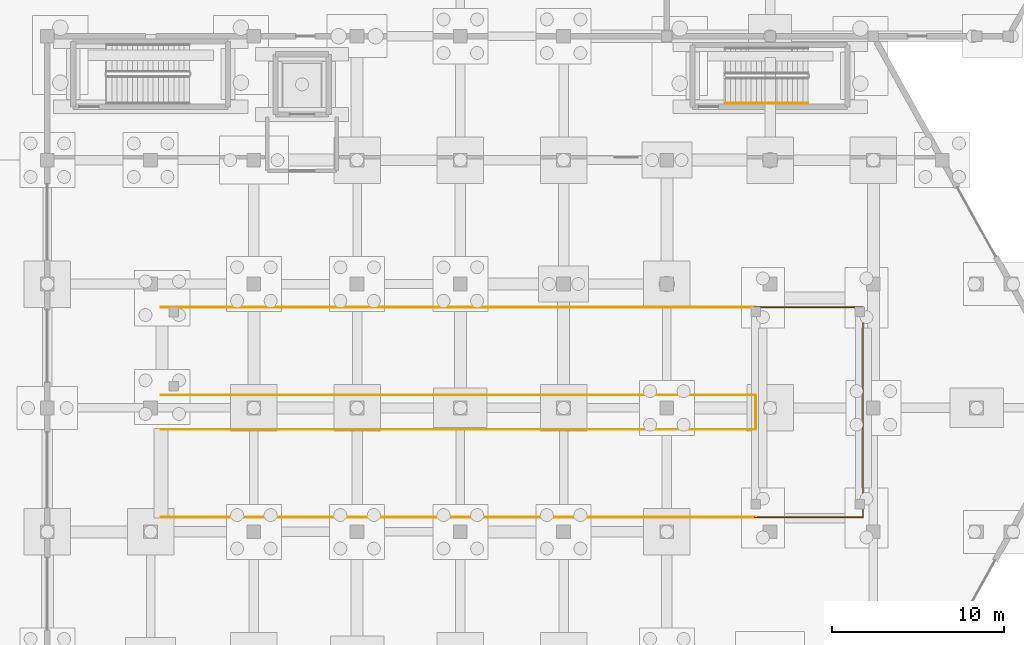
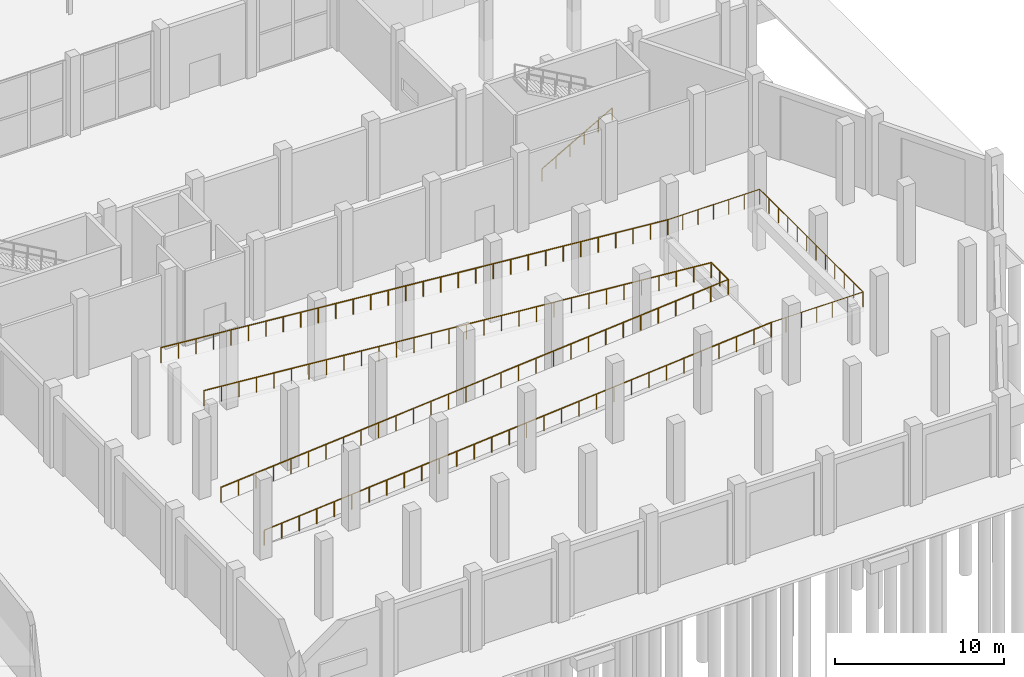
# One storey, part 99 of 103: 7 railings.
"""IFC4 building model written with IfcOpenShell, lengths in metres."""

from ifc_helpers import new_model, si_unit, direction, frame, origin, origin_2d, place, context, subcontext, project, spatial, circle, extrude, material, type_object, element, save


model = new_model("IFC4")

# Units and contexts
model_context = context("Model", 3, precision=1e-05, world=origin(), true_north=direction((0.0, 1.0)))
body_context = subcontext(model_context, "Body", "Model", "MODEL_VIEW")
ifc_project = project(units=[si_unit("LENGTHUNIT", "METRE"), si_unit("AREAUNIT", "SQUARE_METRE"), si_unit("VOLUMEUNIT", "CUBIC_METRE"), si_unit("PLANEANGLEUNIT", "RADIAN"), si_unit("MASSUNIT", "GRAM", prefix="KILO")], contexts=[model_context])

# Site, building, storey
site_placement = place(None, origin())
site = spatial("IfcSite", under=ifc_project, at=site_placement, CompositionType="ELEMENT")
building_placement = place(site_placement, origin())
building = spatial("IfcBuilding", under=site, at=building_placement, Name="Dunvalen Ferry Terminal", CompositionType="ELEMENT")
storey_placement = place(building_placement, origin())
storey = spatial("IfcBuildingStorey", under=building, at=storey_placement, Name="L00", CompositionType="ELEMENT", Elevation=0.0)

# Railings
ifc_material_1 = material(Name="Painted galvanised steel S275", Category="steel")
railing_type_1 = type_object("IfcRailingType", Name="INT-RL-STGRD", PredefinedType="GUARDRAIL", material=ifc_material_1)
railing_1_placement = place(storey_placement, frame((114.60009765625, 15.25, 0.0)))
element("IfcRailing", 1, at=railing_1_placement, inside=storey, type_object=railing_type_1, Name="L00 Internal Safety Guard GRD-VRMP-FL1-S", PredefinedType="GUARDRAIL", context=body_context, shape_type="SweptSolid", body=[
    extrude(circle(Radius=0.02392578125, at=origin_2d()), frame((0.0, 0.0, 1.076171875), z_axis=(0.996546000996, 0.0, 0.083042566795), x_axis=(0.0, 1.0, 0.0)), (0.0, 0.0, 1.0), 34.6796875),
    extrude(circle(Radius=0.02099609375, at=origin_2d()), origin(), (0.0, 0.0, 1.0), 1.052001953125),
    extrude(circle(Radius=0.02099609375, at=origin_2d()), frame((1.191650390625, 0.0, 0.099365234375)), (0.0, 0.0, 1.0), 1.052001953125),
    extrude(circle(Radius=0.02099609375, at=origin_2d()), frame((2.383544921875, 0.0, 0.19873046875)), (0.0, 0.0, 1.0), 1.052001953125),
    extrude(circle(Radius=0.02099609375, at=origin_2d()), frame((3.5751953125, 0.0, 0.2978515625)), (0.0, 0.0, 1.0), 1.052001953125),
    extrude(circle(Radius=0.02099609375, at=origin_2d()), frame((4.766845703125, 0.0, 0.397216796875)), (0.0, 0.0, 1.0), 1.052001953125),
    extrude(circle(Radius=0.02099609375, at=origin_2d()), frame((5.95849609375, 0.0, 0.49658203125)), (0.0, 0.0, 1.0), 1.052001953125),
    extrude(circle(Radius=0.02099609375, at=origin_2d()), frame((7.150390625, 0.0, 0.595947265625)), (0.0, 0.0, 1.0), 1.052001953125),
    extrude(circle(Radius=0.02099609375, at=origin_2d()), frame((8.342041015625, 0.0, 0.695068359375)), (0.0, 0.0, 1.0), 1.052001953125),
    extrude(circle(Radius=0.02099609375, at=origin_2d()), frame((9.53369140625, 0.0, 0.79443359375)), (0.0, 0.0, 1.0), 1.052001953125),
    extrude(circle(Radius=0.02099609375, at=origin_2d()), frame((10.725341796875, 0.0, 0.893798828125)), (0.0, 0.0, 1.0), 1.052001953125),
    extrude(circle(Radius=0.02099609375, at=origin_2d()), frame((11.917236328125, 0.0, 0.9931640625)), (0.0, 0.0, 1.0), 1.052001953125),
    extrude(circle(Radius=0.02099609375, at=origin_2d()), frame((13.10888671875, 0.0, 1.09228515625)), (0.0, 0.0, 1.0), 1.052001953125),
    extrude(circle(Radius=0.02099609375, at=origin_2d()), frame((14.300537109375, 0.0, 1.191650390625)), (0.0, 0.0, 1.0), 1.052001953125),
    extrude(circle(Radius=0.02099609375, at=origin_2d()), frame((15.492431640625, 0.0, 1.291015625)), (0.0, 0.0, 1.0), 1.052001953125),
    extrude(circle(Radius=0.02099609375, at=origin_2d()), frame((16.68408203125, 0.0, 1.390380859375)), (0.0, 0.0, 1.0), 1.052001953125),
    extrude(circle(Radius=0.02099609375, at=origin_2d()), frame((17.875732421875, 0.0, 1.489501953125)), (0.0, 0.0, 1.0), 1.052001953125),
    extrude(circle(Radius=0.02099609375, at=origin_2d()), frame((19.0673828125, 0.0, 1.5888671875)), (0.0, 0.0, 1.0), 1.052001953125),
    extrude(circle(Radius=0.02099609375, at=origin_2d()), frame((20.25927734375, 0.0, 1.688232421875)), (0.0, 0.0, 1.0), 1.052001953125),
    extrude(circle(Radius=0.02099609375, at=origin_2d()), frame((21.450927734375, 0.0, 1.78759765625)), (0.0, 0.0, 1.0), 1.052001953125),
    extrude(circle(Radius=0.02099609375, at=origin_2d()), frame((22.642578125, 0.0, 1.88671875)), (0.0, 0.0, 1.0), 1.052001953125),
    extrude(circle(Radius=0.02099609375, at=origin_2d()), frame((23.83447265625, 0.0, 1.986083984375)), (0.0, 0.0, 1.0), 1.052001953125),
    extrude(circle(Radius=0.02099609375, at=origin_2d()), frame((25.026123046875, 0.0, 2.08544921875)), (0.0, 0.0, 1.0), 1.052001953125),
    extrude(circle(Radius=0.02099609375, at=origin_2d()), frame((26.2177734375, 0.0, 2.184814453125)), (0.0, 0.0, 1.0), 1.052001953125),
    extrude(circle(Radius=0.02099609375, at=origin_2d()), frame((27.409423828125, 0.0, 2.283935546875)), (0.0, 0.0, 1.0), 1.052001953125),
    extrude(circle(Radius=0.02099609375, at=origin_2d()), frame((28.601318359375, 0.0, 2.38330078125)), (0.0, 0.0, 1.0), 1.052001953125),
    extrude(circle(Radius=0.02099609375, at=origin_2d()), frame((29.79296875, 0.0, 2.482666015625)), (0.0, 0.0, 1.0), 1.052001953125),
    extrude(circle(Radius=0.02099609375, at=origin_2d()), frame((30.984619140625, 0.0, 2.58203125)), (0.0, 0.0, 1.0), 1.052001953125),
    extrude(circle(Radius=0.02099609375, at=origin_2d()), frame((32.17626953125, 0.0, 2.68115234375)), (0.0, 0.0, 1.0), 1.052001953125),
    extrude(circle(Radius=0.02099609375, at=origin_2d()), frame((33.3681640625, 0.0, 2.780517578125)), (0.0, 0.0, 1.0), 1.052001953125),
    extrude(circle(Radius=0.02099609375, at=origin_2d()), frame((34.559814453125, 0.0, 2.8798828125)), (0.0, 0.0, 1.0), 1.052001953125),
])
railing_2_placement = place(storey_placement, frame((114.60009765625, 20.35009765625, 0.0)))
element("IfcRailing", 2, at=railing_2_placement, inside=storey, type_object=railing_type_1, Name="L00 Internal Safety Guard GRD-VRMP-FL1-N", PredefinedType="GUARDRAIL", context=body_context, shape_type="SweptSolid", body=[
    extrude(circle(Radius=0.02392578125, at=origin_2d()), frame((0.0, 0.0, 1.076171875), z_axis=(0.996546000996, 0.0, 0.083042566795), x_axis=(0.0, 1.0, 0.0)), (0.0, 0.0, 1.0), 34.6796875),
    extrude(circle(Radius=0.02099609375, at=origin_2d()), origin(), (0.0, 0.0, 1.0), 1.052001953125),
    extrude(circle(Radius=0.02099609375, at=origin_2d()), frame((1.191650390625, 0.0, 0.099365234375)), (0.0, 0.0, 1.0), 1.052001953125),
    extrude(circle(Radius=0.02099609375, at=origin_2d()), frame((2.383544921875, 0.0, 0.19873046875)), (0.0, 0.0, 1.0), 1.052001953125),
    extrude(circle(Radius=0.02099609375, at=origin_2d()), frame((3.5751953125, 0.0, 0.2978515625)), (0.0, 0.0, 1.0), 1.052001953125),
    extrude(circle(Radius=0.02099609375, at=origin_2d()), frame((4.766845703125, 0.0, 0.397216796875)), (0.0, 0.0, 1.0), 1.052001953125),
    extrude(circle(Radius=0.02099609375, at=origin_2d()), frame((5.95849609375, 0.0, 0.49658203125)), (0.0, 0.0, 1.0), 1.052001953125),
    extrude(circle(Radius=0.02099609375, at=origin_2d()), frame((7.150390625, 0.0, 0.595947265625)), (0.0, 0.0, 1.0), 1.052001953125),
    extrude(circle(Radius=0.02099609375, at=origin_2d()), frame((8.342041015625, 0.0, 0.695068359375)), (0.0, 0.0, 1.0), 1.052001953125),
    extrude(circle(Radius=0.02099609375, at=origin_2d()), frame((9.53369140625, 0.0, 0.79443359375)), (0.0, 0.0, 1.0), 1.052001953125),
    extrude(circle(Radius=0.02099609375, at=origin_2d()), frame((10.725341796875, 0.0, 0.893798828125)), (0.0, 0.0, 1.0), 1.052001953125),
    extrude(circle(Radius=0.02099609375, at=origin_2d()), frame((11.917236328125, 0.0, 0.9931640625)), (0.0, 0.0, 1.0), 1.052001953125),
    extrude(circle(Radius=0.02099609375, at=origin_2d()), frame((13.10888671875, 0.0, 1.09228515625)), (0.0, 0.0, 1.0), 1.052001953125),
    extrude(circle(Radius=0.02099609375, at=origin_2d()), frame((14.300537109375, 0.0, 1.191650390625)), (0.0, 0.0, 1.0), 1.052001953125),
    extrude(circle(Radius=0.02099609375, at=origin_2d()), frame((15.492431640625, 0.0, 1.291015625)), (0.0, 0.0, 1.0), 1.052001953125),
    extrude(circle(Radius=0.02099609375, at=origin_2d()), frame((16.68408203125, 0.0, 1.390380859375)), (0.0, 0.0, 1.0), 1.052001953125),
    extrude(circle(Radius=0.02099609375, at=origin_2d()), frame((17.875732421875, 0.0, 1.489501953125)), (0.0, 0.0, 1.0), 1.052001953125),
    extrude(circle(Radius=0.02099609375, at=origin_2d()), frame((19.0673828125, 0.0, 1.5888671875)), (0.0, 0.0, 1.0), 1.052001953125),
    extrude(circle(Radius=0.02099609375, at=origin_2d()), frame((20.25927734375, 0.0, 1.688232421875)), (0.0, 0.0, 1.0), 1.052001953125),
    extrude(circle(Radius=0.02099609375, at=origin_2d()), frame((21.450927734375, 0.0, 1.78759765625)), (0.0, 0.0, 1.0), 1.052001953125),
    extrude(circle(Radius=0.02099609375, at=origin_2d()), frame((22.642578125, 0.0, 1.88671875)), (0.0, 0.0, 1.0), 1.052001953125),
    extrude(circle(Radius=0.02099609375, at=origin_2d()), frame((23.83447265625, 0.0, 1.986083984375)), (0.0, 0.0, 1.0), 1.052001953125),
    extrude(circle(Radius=0.02099609375, at=origin_2d()), frame((25.026123046875, 0.0, 2.08544921875)), (0.0, 0.0, 1.0), 1.052001953125),
    extrude(circle(Radius=0.02099609375, at=origin_2d()), frame((26.2177734375, 0.0, 2.184814453125)), (0.0, 0.0, 1.0), 1.052001953125),
    extrude(circle(Radius=0.02099609375, at=origin_2d()), frame((27.409423828125, 0.0, 2.283935546875)), (0.0, 0.0, 1.0), 1.052001953125),
    extrude(circle(Radius=0.02099609375, at=origin_2d()), frame((28.601318359375, 0.0, 2.38330078125)), (0.0, 0.0, 1.0), 1.052001953125),
    extrude(circle(Radius=0.02099609375, at=origin_2d()), frame((29.79296875, 0.0, 2.482666015625)), (0.0, 0.0, 1.0), 1.052001953125),
    extrude(circle(Radius=0.02099609375, at=origin_2d()), frame((30.984619140625, 0.0, 2.58203125)), (0.0, 0.0, 1.0), 1.052001953125),
    extrude(circle(Radius=0.02099609375, at=origin_2d()), frame((32.17626953125, 0.0, 2.68115234375)), (0.0, 0.0, 1.0), 1.052001953125),
    extrude(circle(Radius=0.02099609375, at=origin_2d()), frame((33.3681640625, 0.0, 2.780517578125)), (0.0, 0.0, 1.0), 1.052001953125),
    extrude(circle(Radius=0.02099609375, at=origin_2d()), frame((34.559814453125, 0.0, 2.8798828125)), (0.0, 0.0, 1.0), 1.052001953125),
])
railing_3_placement = place(storey_placement, frame((149.10009765625, 15.25, 2.8798828125)))
element("IfcRailing", 3, at=railing_3_placement, inside=storey, type_object=railing_type_1, Name="L00 Internal Safety Guard GRD-VRMP-LND-O", PredefinedType="GUARDRAIL", context=body_context, shape_type="SweptSolid", body=[
    extrude(circle(Radius=0.02392578125, at=origin_2d()), frame((0.0, 0.0, 1.076171875), z_axis=(1.0, 0.0, 0.0), x_axis=(0.0, 1.0, 0.0)), (0.0, 0.0, 1.0), 6.2998046875),
    extrude(circle(Radius=0.02392578125, at=origin_2d()), frame((6.2998046875, 0.0, 1.076171875), z_axis=(0.0, 1.0, 0.0), x_axis=(-1.0, 0.0, 0.0)), (0.0, 0.0, 1.0), 12.199951171875),
    extrude(circle(Radius=0.02392578125, at=origin_2d()), frame((6.2998046875, 12.199951171875, 1.076171875), z_axis=(-1.0, 0.0, 0.0), x_axis=(0.0, -1.0, 0.0)), (0.0, 0.0, 1.0), 6.2998046875),
    extrude(circle(Radius=0.02099609375, at=origin_2d()), origin(), (0.0, 0.0, 1.0), 1.052001953125),
    extrude(circle(Radius=0.02099609375, at=origin_2d()), frame((1.050048828125, 0.0, 0.0)), (0.0, 0.0, 1.0), 1.052001953125),
    extrude(circle(Radius=0.02099609375, at=origin_2d()), frame((2.099853515625, 0.0, 0.0)), (0.0, 0.0, 1.0), 1.052001953125),
    extrude(circle(Radius=0.02099609375, at=origin_2d()), frame((3.14990234375, 0.0, 0.0)), (0.0, 0.0, 1.0), 1.052001953125),
    extrude(circle(Radius=0.02099609375, at=origin_2d()), frame((4.199951171875, 0.0, 0.0)), (0.0, 0.0, 1.0), 1.052001953125),
    extrude(circle(Radius=0.02099609375, at=origin_2d()), frame((5.249755859375, 0.0, 0.0)), (0.0, 0.0, 1.0), 1.052001953125),
    extrude(circle(Radius=0.02099609375, at=origin_2d()), frame((6.2998046875, 0.0, 0.0)), (0.0, 0.0, 1.0), 1.052001953125),
    extrude(circle(Radius=0.02099609375, at=origin_2d()), frame((6.2998046875, 1.109130859375, 0.0)), (0.0, 0.0, 1.0), 1.052001953125),
    extrude(circle(Radius=0.02099609375, at=origin_2d()), frame((6.2998046875, 2.21826171875, 0.0)), (0.0, 0.0, 1.0), 1.052001953125),
    extrude(circle(Radius=0.02099609375, at=origin_2d()), frame((6.2998046875, 3.3271484375, 0.0)), (0.0, 0.0, 1.0), 1.052001953125),
    extrude(circle(Radius=0.02099609375, at=origin_2d()), frame((6.2998046875, 4.436279296875, 0.0)), (0.0, 0.0, 1.0), 1.052001953125),
    extrude(circle(Radius=0.02099609375, at=origin_2d()), frame((6.2998046875, 5.54541015625, 0.0)), (0.0, 0.0, 1.0), 1.052001953125),
    extrude(circle(Radius=0.02099609375, at=origin_2d()), frame((6.2998046875, 6.654541015625, 0.0)), (0.0, 0.0, 1.0), 1.052001953125),
    extrude(circle(Radius=0.02099609375, at=origin_2d()), frame((6.2998046875, 7.763671875, 0.0)), (0.0, 0.0, 1.0), 1.052001953125),
    extrude(circle(Radius=0.02099609375, at=origin_2d()), frame((6.2998046875, 8.872802734375, 0.0)), (0.0, 0.0, 1.0), 1.052001953125),
    extrude(circle(Radius=0.02099609375, at=origin_2d()), frame((6.2998046875, 9.981689453125, 0.0)), (0.0, 0.0, 1.0), 1.052001953125),
    extrude(circle(Radius=0.02099609375, at=origin_2d()), frame((6.2998046875, 11.0908203125, 0.0)), (0.0, 0.0, 1.0), 1.052001953125),
    extrude(circle(Radius=0.02099609375, at=origin_2d()), frame((6.2998046875, 12.199951171875, 0.0)), (0.0, 0.0, 1.0), 1.052001953125),
    extrude(circle(Radius=0.02099609375, at=origin_2d()), frame((5.249755859375, 12.199951171875, 0.0)), (0.0, 0.0, 1.0), 1.052001953125),
    extrude(circle(Radius=0.02099609375, at=origin_2d()), frame((4.199951171875, 12.199951171875, 0.0)), (0.0, 0.0, 1.0), 1.052001953125),
    extrude(circle(Radius=0.02099609375, at=origin_2d()), frame((3.14990234375, 12.199951171875, 0.0)), (0.0, 0.0, 1.0), 1.052001953125),
    extrude(circle(Radius=0.02099609375, at=origin_2d()), frame((2.099853515625, 12.199951171875, 0.0)), (0.0, 0.0, 1.0), 1.052001953125),
    extrude(circle(Radius=0.02099609375, at=origin_2d()), frame((1.050048828125, 12.199951171875, 0.0)), (0.0, 0.0, 1.0), 1.052001953125),
    extrude(circle(Radius=0.02099609375, at=origin_2d()), frame((0.0, 12.199951171875, 0.0)), (0.0, 0.0, 1.0), 1.052001953125),
])
railing_4_placement = place(storey_placement, frame((149.159912109375, 20.35009765625, 2.8798828125)))
element("IfcRailing", 4, at=railing_4_placement, inside=storey, type_object=railing_type_1, Name="L00 Internal Safety Guard GRD-VRMP-LND-I", PredefinedType="GUARDRAIL", context=body_context, shape_type="SweptSolid", body=[
    extrude(circle(Radius=0.02392578125, at=origin_2d()), frame((0.0, 0.0, 1.076171875), z_axis=(0.0, 1.0, 0.0), x_axis=(-1.0, 0.0, 0.0)), (0.0, 0.0, 1.0), 2.0),
    extrude(circle(Radius=0.02099609375, at=origin_2d()), origin(), (0.0, 0.0, 1.0), 1.052001953125),
    extrude(circle(Radius=0.02099609375, at=origin_2d()), frame((0.0, 1.0, 0.0)), (0.0, 0.0, 1.0), 1.052001953125),
    extrude(circle(Radius=0.02099609375, at=origin_2d()), frame((0.0, 2.0, 0.0)), (0.0, 0.0, 1.0), 1.052001953125),
])
railing_5_placement = place(storey_placement, frame((149.159912109375, 22.35009765625, 2.8798828125)))
element("IfcRailing", 5, at=railing_5_placement, inside=storey, type_object=railing_type_1, Name="L00 Internal Safety Guard GRD-VRMP-FL2-S", PredefinedType="GUARDRAIL", context=body_context, shape_type="SweptSolid", body=[
    extrude(circle(Radius=0.02392578125, at=origin_2d()), frame((0.0, 0.0, 1.076171875), z_axis=(-0.99654541838, 0.0, 0.083049558133), x_axis=(0.0, -1.0, 0.0)), (0.0, 0.0, 1.0), 34.6796875),
    extrude(circle(Radius=0.02099609375, at=origin_2d()), origin(), (0.0, 0.0, 1.0), 1.052001953125),
    extrude(circle(Radius=0.02099609375, at=origin_2d()), frame((-1.191650390625, 0.0, 0.099365234375)), (0.0, 0.0, 1.0), 1.052001953125),
    extrude(circle(Radius=0.02099609375, at=origin_2d()), frame((-2.383544921875, 0.0, 0.19873046875)), (0.0, 0.0, 1.0), 1.052001953125),
    extrude(circle(Radius=0.02099609375, at=origin_2d()), frame((-3.5751953125, 0.0, 0.2978515625)), (0.0, 0.0, 1.0), 1.052001953125),
    extrude(circle(Radius=0.02099609375, at=origin_2d()), frame((-4.766845703125, 0.0, 0.397216796875)), (0.0, 0.0, 1.0), 1.052001953125),
    extrude(circle(Radius=0.02099609375, at=origin_2d()), frame((-5.95849609375, 0.0, 0.49658203125)), (0.0, 0.0, 1.0), 1.052001953125),
    extrude(circle(Radius=0.02099609375, at=origin_2d()), frame((-7.150390625, 0.0, 0.595947265625)), (0.0, 0.0, 1.0), 1.052001953125),
    extrude(circle(Radius=0.02099609375, at=origin_2d()), frame((-8.342041015625, 0.0, 0.6953125)), (0.0, 0.0, 1.0), 1.052001953125),
    extrude(circle(Radius=0.02099609375, at=origin_2d()), frame((-9.53369140625, 0.0, 0.79443359375)), (0.0, 0.0, 1.0), 1.052001953125),
    extrude(circle(Radius=0.02099609375, at=origin_2d()), frame((-10.725341796875, 0.0, 0.893798828125)), (0.0, 0.0, 1.0), 1.052001953125),
    extrude(circle(Radius=0.02099609375, at=origin_2d()), frame((-11.917236328125, 0.0, 0.9931640625)), (0.0, 0.0, 1.0), 1.052001953125),
    extrude(circle(Radius=0.02099609375, at=origin_2d()), frame((-13.10888671875, 0.0, 1.092529296875)), (0.0, 0.0, 1.0), 1.052001953125),
    extrude(circle(Radius=0.02099609375, at=origin_2d()), frame((-14.300537109375, 0.0, 1.19189453125)), (0.0, 0.0, 1.0), 1.052001953125),
    extrude(circle(Radius=0.02099609375, at=origin_2d()), frame((-15.492431640625, 0.0, 1.291015625)), (0.0, 0.0, 1.0), 1.052001953125),
    extrude(circle(Radius=0.02099609375, at=origin_2d()), frame((-16.68408203125, 0.0, 1.390380859375)), (0.0, 0.0, 1.0), 1.052001953125),
    extrude(circle(Radius=0.02099609375, at=origin_2d()), frame((-17.875732421875, 0.0, 1.48974609375)), (0.0, 0.0, 1.0), 1.052001953125),
    extrude(circle(Radius=0.02099609375, at=origin_2d()), frame((-19.0673828125, 0.0, 1.589111328125)), (0.0, 0.0, 1.0), 1.052001953125),
    extrude(circle(Radius=0.02099609375, at=origin_2d()), frame((-20.25927734375, 0.0, 1.688232421875)), (0.0, 0.0, 1.0), 1.052001953125),
    extrude(circle(Radius=0.02099609375, at=origin_2d()), frame((-21.450927734375, 0.0, 1.78759765625)), (0.0, 0.0, 1.0), 1.052001953125),
    extrude(circle(Radius=0.02099609375, at=origin_2d()), frame((-22.642578125, 0.0, 1.886962890625)), (0.0, 0.0, 1.0), 1.052001953125),
    extrude(circle(Radius=0.02099609375, at=origin_2d()), frame((-23.83447265625, 0.0, 1.986328125)), (0.0, 0.0, 1.0), 1.052001953125),
    extrude(circle(Radius=0.02099609375, at=origin_2d()), frame((-25.026123046875, 0.0, 2.085693359375)), (0.0, 0.0, 1.0), 1.052001953125),
    extrude(circle(Radius=0.02099609375, at=origin_2d()), frame((-26.2177734375, 0.0, 2.184814453125)), (0.0, 0.0, 1.0), 1.052001953125),
    extrude(circle(Radius=0.02099609375, at=origin_2d()), frame((-27.409423828125, 0.0, 2.2841796875)), (0.0, 0.0, 1.0), 1.052001953125),
    extrude(circle(Radius=0.02099609375, at=origin_2d()), frame((-28.601318359375, 0.0, 2.383544921875)), (0.0, 0.0, 1.0), 1.052001953125),
    extrude(circle(Radius=0.02099609375, at=origin_2d()), frame((-29.79296875, 0.0, 2.48291015625)), (0.0, 0.0, 1.0), 1.052001953125),
    extrude(circle(Radius=0.02099609375, at=origin_2d()), frame((-30.984619140625, 0.0, 2.582275390625)), (0.0, 0.0, 1.0), 1.052001953125),
    extrude(circle(Radius=0.02099609375, at=origin_2d()), frame((-32.17626953125, 0.0, 2.681396484375)), (0.0, 0.0, 1.0), 1.052001953125),
    extrude(circle(Radius=0.02099609375, at=origin_2d()), frame((-33.3681640625, 0.0, 2.78076171875)), (0.0, 0.0, 1.0), 1.052001953125),
    extrude(circle(Radius=0.02099609375, at=origin_2d()), frame((-34.559814453125, 0.0, 2.880126953125)), (0.0, 0.0, 1.0), 1.052001953125),
])
railing_6_placement = place(storey_placement, frame((149.159912109375, 27.449951171875, 2.8798828125)))
element("IfcRailing", 6, at=railing_6_placement, inside=storey, type_object=railing_type_1, Name="L00 Internal Safety Guard GRD-VRMP-FL2-N", PredefinedType="GUARDRAIL", context=body_context, shape_type="SweptSolid", body=[
    extrude(circle(Radius=0.02392578125, at=origin_2d()), frame((0.0, 0.0, 1.076171875), z_axis=(-0.99654541838, 0.0, 0.083049558133), x_axis=(0.0, -1.0, 0.0)), (0.0, 0.0, 1.0), 34.6796875),
    extrude(circle(Radius=0.02099609375, at=origin_2d()), origin(), (0.0, 0.0, 1.0), 1.052001953125),
    extrude(circle(Radius=0.02099609375, at=origin_2d()), frame((-1.191650390625, 0.0, 0.099365234375)), (0.0, 0.0, 1.0), 1.052001953125),
    extrude(circle(Radius=0.02099609375, at=origin_2d()), frame((-2.383544921875, 0.0, 0.19873046875)), (0.0, 0.0, 1.0), 1.052001953125),
    extrude(circle(Radius=0.02099609375, at=origin_2d()), frame((-3.5751953125, 0.0, 0.2978515625)), (0.0, 0.0, 1.0), 1.052001953125),
    extrude(circle(Radius=0.02099609375, at=origin_2d()), frame((-4.766845703125, 0.0, 0.397216796875)), (0.0, 0.0, 1.0), 1.052001953125),
    extrude(circle(Radius=0.02099609375, at=origin_2d()), frame((-5.95849609375, 0.0, 0.49658203125)), (0.0, 0.0, 1.0), 1.052001953125),
    extrude(circle(Radius=0.02099609375, at=origin_2d()), frame((-7.150390625, 0.0, 0.595947265625)), (0.0, 0.0, 1.0), 1.052001953125),
    extrude(circle(Radius=0.02099609375, at=origin_2d()), frame((-8.342041015625, 0.0, 0.6953125)), (0.0, 0.0, 1.0), 1.052001953125),
    extrude(circle(Radius=0.02099609375, at=origin_2d()), frame((-9.53369140625, 0.0, 0.79443359375)), (0.0, 0.0, 1.0), 1.052001953125),
    extrude(circle(Radius=0.02099609375, at=origin_2d()), frame((-10.725341796875, 0.0, 0.893798828125)), (0.0, 0.0, 1.0), 1.052001953125),
    extrude(circle(Radius=0.02099609375, at=origin_2d()), frame((-11.917236328125, 0.0, 0.9931640625)), (0.0, 0.0, 1.0), 1.052001953125),
    extrude(circle(Radius=0.02099609375, at=origin_2d()), frame((-13.10888671875, 0.0, 1.092529296875)), (0.0, 0.0, 1.0), 1.052001953125),
    extrude(circle(Radius=0.02099609375, at=origin_2d()), frame((-14.300537109375, 0.0, 1.19189453125)), (0.0, 0.0, 1.0), 1.052001953125),
    extrude(circle(Radius=0.02099609375, at=origin_2d()), frame((-15.492431640625, 0.0, 1.291015625)), (0.0, 0.0, 1.0), 1.052001953125),
    extrude(circle(Radius=0.02099609375, at=origin_2d()), frame((-16.68408203125, 0.0, 1.390380859375)), (0.0, 0.0, 1.0), 1.052001953125),
    extrude(circle(Radius=0.02099609375, at=origin_2d()), frame((-17.875732421875, 0.0, 1.48974609375)), (0.0, 0.0, 1.0), 1.052001953125),
    extrude(circle(Radius=0.02099609375, at=origin_2d()), frame((-19.0673828125, 0.0, 1.589111328125)), (0.0, 0.0, 1.0), 1.052001953125),
    extrude(circle(Radius=0.02099609375, at=origin_2d()), frame((-20.25927734375, 0.0, 1.688232421875)), (0.0, 0.0, 1.0), 1.052001953125),
    extrude(circle(Radius=0.02099609375, at=origin_2d()), frame((-21.450927734375, 0.0, 1.78759765625)), (0.0, 0.0, 1.0), 1.052001953125),
    extrude(circle(Radius=0.02099609375, at=origin_2d()), frame((-22.642578125, 0.0, 1.886962890625)), (0.0, 0.0, 1.0), 1.052001953125),
    extrude(circle(Radius=0.02099609375, at=origin_2d()), frame((-23.83447265625, 0.0, 1.986328125)), (0.0, 0.0, 1.0), 1.052001953125),
    extrude(circle(Radius=0.02099609375, at=origin_2d()), frame((-25.026123046875, 0.0, 2.085693359375)), (0.0, 0.0, 1.0), 1.052001953125),
    extrude(circle(Radius=0.02099609375, at=origin_2d()), frame((-26.2177734375, 0.0, 2.184814453125)), (0.0, 0.0, 1.0), 1.052001953125),
    extrude(circle(Radius=0.02099609375, at=origin_2d()), frame((-27.409423828125, 0.0, 2.2841796875)), (0.0, 0.0, 1.0), 1.052001953125),
    extrude(circle(Radius=0.02099609375, at=origin_2d()), frame((-28.601318359375, 0.0, 2.383544921875)), (0.0, 0.0, 1.0), 1.052001953125),
    extrude(circle(Radius=0.02099609375, at=origin_2d()), frame((-29.79296875, 0.0, 2.48291015625)), (0.0, 0.0, 1.0), 1.052001953125),
    extrude(circle(Radius=0.02099609375, at=origin_2d()), frame((-30.984619140625, 0.0, 2.582275390625)), (0.0, 0.0, 1.0), 1.052001953125),
    extrude(circle(Radius=0.02099609375, at=origin_2d()), frame((-32.17626953125, 0.0, 2.681396484375)), (0.0, 0.0, 1.0), 1.052001953125),
    extrude(circle(Radius=0.02099609375, at=origin_2d()), frame((-33.3681640625, 0.0, 2.78076171875)), (0.0, 0.0, 1.0), 1.052001953125),
    extrude(circle(Radius=0.02099609375, at=origin_2d()), frame((-34.559814453125, 0.0, 2.880126953125)), (0.0, 0.0, 1.0), 1.052001953125),
])
ifc_material_2 = material(Name="Brushed 316 stainless steel", Category="steel")
railing_type_2 = type_object("IfcRailingType", Name="INT-RL-STHND", PredefinedType="HANDRAIL", material=ifc_material_2)
railing_7_placement = place(storey_placement, frame((147.39990234375, 39.300048828125, 0.16943359375)))
element("IfcRailing", 7, at=railing_7_placement, inside=storey, type_object=railing_type_2, Name="L00 ST6 stair handrail 1", PredefinedType="HANDRAIL", context=body_context, shape_type="SweptSolid", body=[
    extrude(circle(Radius=0.02392578125, at=origin_2d()), frame((0.0, 0.0, 0.8759765625), z_axis=(0.870766506294, 0.0, 0.491696747514), x_axis=(0.0, 1.0, 0.0)), (0.0, 0.0, 1.0), 5.512451171875),
    extrude(circle(Radius=0.02099609375, at=origin_2d()), origin(), (0.0, 0.0, 1.0), 0.851806640625),
    extrude(circle(Radius=0.02099609375, at=origin_2d()), frame((0.9599609375, 0.0, 0.5419921875)), (0.0, 0.0, 1.0), 0.851806640625),
    extrude(circle(Radius=0.02099609375, at=origin_2d()), frame((1.919921875, 0.0, 1.084228515625)), (0.0, 0.0, 1.0), 0.851806640625),
    extrude(circle(Radius=0.02099609375, at=origin_2d()), frame((2.880126953125, 0.0, 1.626220703125)), (0.0, 0.0, 1.0), 0.851806640625),
    extrude(circle(Radius=0.02099609375, at=origin_2d()), frame((3.840087890625, 0.0, 2.16845703125)), (0.0, 0.0, 1.0), 0.851806640625),
    extrude(circle(Radius=0.02099609375, at=origin_2d()), frame((4.800048828125, 0.0, 2.71044921875)), (0.0, 0.0, 1.0), 0.851806640625),
])

save(model, "model.ifc")
